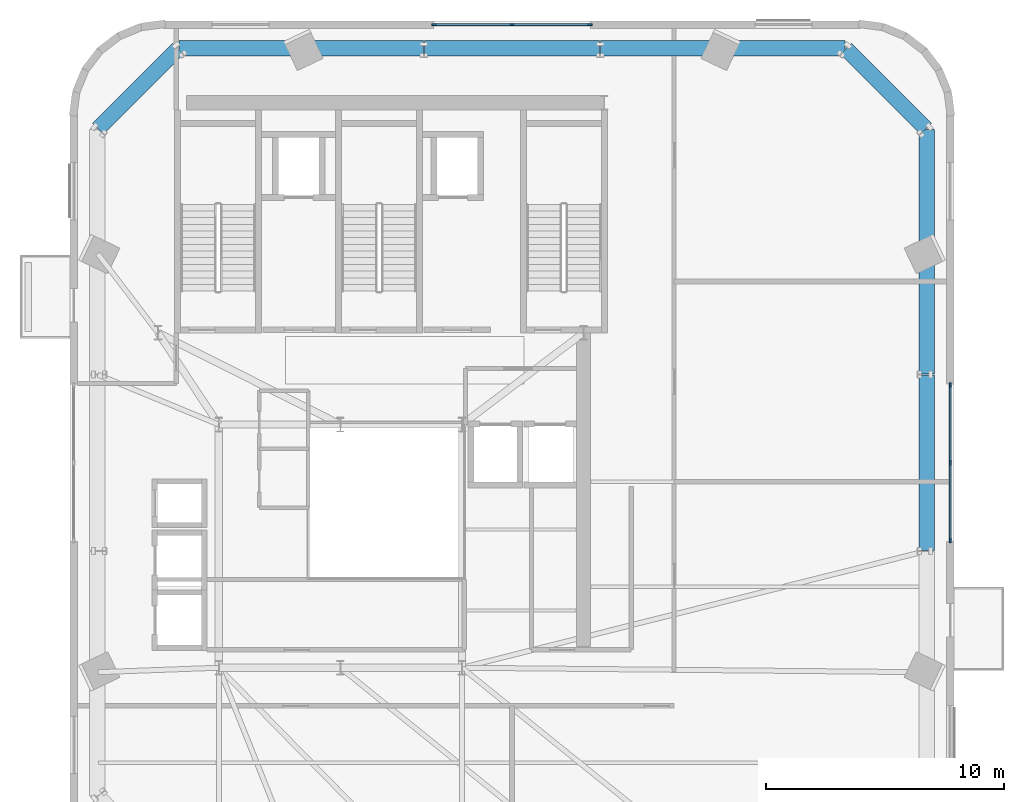
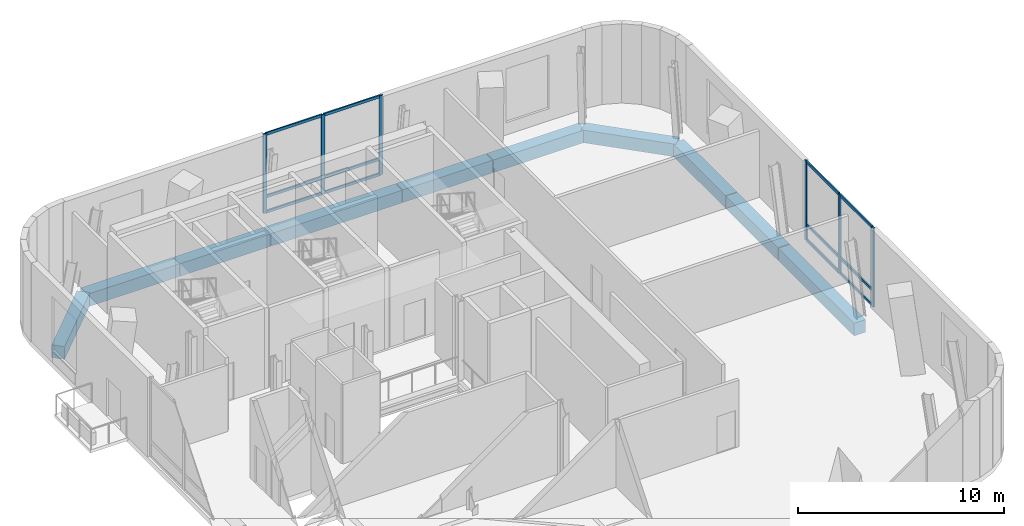
# One storey, part 4 of 10: 18 members, 10 beams, 2 elements without a shape of their own.
"""IFC4 building model written with IfcOpenShell, lengths in metres."""

import ifcopenshell
import ifcopenshell.guid

model = None  # the IFC model being written
_history = None  # IfcOwnerHistory: only IFC2X3 demands one
_inside = {}  # id of a spatial element -> (the spatial element, [elements in it])
_under = {}  # id of a project, library or spatial element -> (it, [spatial elements below it])
_declared = {}  # id of a project -> (the project, [libraries it declares])
_typed = {}  # id of a type object -> (the type object, [elements of that type])
_made_of = {}  # id of a material, layer set ... -> (it, [elements and type objects made of it])


def new_model(schema):
    """Start an empty IFC model of exactly this schema.

    Asked for "IFC4X3", IfcOpenShell would pick the latest addendum, in which some entities
    have other attributes; the version numbers below select the first issue.
    IFC2X3 requires an IfcOwnerHistory on every rooted entity: one is made here for all.
    """
    global model, _history
    if schema == "IFC4X3":
        model = ifcopenshell.file(schema_version=(4, 3, 0, 0))
    else:
        model = ifcopenshell.file(schema=schema)
    _inside.clear()
    _under.clear()
    _declared.clear()
    _typed.clear()
    _made_of.clear()
    _history = None
    if model.schema == "IFC2X3":
        org = make("IfcOrganization", Name="unknown")
        user = make(
            "IfcPersonAndOrganization",
            ThePerson=make("IfcPerson", FamilyName="unknown"),
            TheOrganization=org,
        )
        app = make(
            "IfcApplication",
            ApplicationDeveloper=org,
            Version="unknown",
            ApplicationFullName="unknown",
            ApplicationIdentifier="unknown",
        )
        _history = make(
            "IfcOwnerHistory",
            OwningUser=user,
            OwningApplication=app,
            ChangeAction="ADDED",
            CreationDate=0,
        )
    return model


def make(cls, **values):
    """One entity of the class cls with the attributes given. An attribute that is None is left unset."""
    return model.create_entity(
        cls, **{name: value for name, value in values.items() if value is not None}
    )


def rooted(cls, **values):
    """An entity with a GlobalId (a new one), such as an element, a storey or a relation."""
    return make(cls, GlobalId=ifcopenshell.guid.new(), OwnerHistory=_history, **values)


def si_unit(unit_type, name, prefix=None):
    """IfcSIUnit, for example si_unit("LENGTHUNIT", "METRE", prefix="MILLI")."""
    return make("IfcSIUnit", UnitType=unit_type, Prefix=prefix, Name=name)


def assignment(units):
    """IfcUnitAssignment: the units of a project."""
    return None if units is None else make("IfcUnitAssignment", Units=units)


def point(xyz):
    """IfcCartesianPoint."""
    return None if xyz is None else make("IfcCartesianPoint", Coordinates=xyz)


def direction(xyz):
    """IfcDirection."""
    return None if xyz is None else make("IfcDirection", DirectionRatios=xyz)


def frame(location, z_axis=None, x_axis=None):
    """IfcAxis2Placement3D, a coordinate frame: its origin and axes. An axis left out is left unset."""
    return make(
        "IfcAxis2Placement3D",
        Location=point(location),
        Axis=direction(z_axis),
        RefDirection=direction(x_axis),
    )


def frame_2d(location, x_axis=None):
    """IfcAxis2Placement2D, a coordinate frame in the plane: its origin and x axis."""
    return make(
        "IfcAxis2Placement2D", Location=point(location), RefDirection=direction(x_axis)
    )


def origin():
    """The frame at (0, 0, 0) with its axes left unset."""
    return frame((0.0, 0.0, 0.0))


def origin_2d():
    """The frame at (0, 0) in the plane with its x axis left unset."""
    return frame_2d((0.0, 0.0))


def place(relative_to, where):
    """IfcLocalPlacement: puts the frame where relative to a parent placement (None: the world)."""
    return make(
        "IfcLocalPlacement", PlacementRelTo=relative_to, RelativePlacement=where
    )


def context(
    kind, dimensions, precision=None, world=None, true_north=None, identifier=None
):
    """IfcGeometricRepresentationContext, for example the 3D "Model" context."""
    return make(
        "IfcGeometricRepresentationContext",
        ContextIdentifier=identifier,
        ContextType=kind,
        CoordinateSpaceDimension=dimensions,
        Precision=precision,
        WorldCoordinateSystem=world,
        TrueNorth=true_north,
    )


def subcontext(parent, identifier, kind, view, scale=None):
    """IfcGeometricRepresentationSubContext, for example "Body" below "Model"."""
    return make(
        "IfcGeometricRepresentationSubContext",
        ContextIdentifier=identifier,
        ContextType=kind,
        ParentContext=parent,
        TargetScale=scale,
        TargetView=view,
    )


def project(units=None, contexts=None):
    """IfcProject with its units and contexts."""
    return rooted(
        "IfcProject",
        Name="project",
        RepresentationContexts=contexts,
        UnitsInContext=assignment(units),
    )


def spatial(cls, under=None, at=None, **own):
    """A site, building, storey or space (cls), placed at a placement, below another one or the project."""
    s = rooted(cls, ObjectPlacement=at, **own)
    if under is not None:
        _under.setdefault(under.id(), (under, []))[1].append(s)
    return s


def profile(cls, at=None, kind="AREA", **sizes):
    """A parametric profile (cls). Its sizes go by their IFC names, for example OverallWidth=200.0."""
    return make(cls, ProfileType=kind, Position=at, **sizes)


def rectangle(**sizes):
    """IfcRectangleProfileDef."""
    return profile("IfcRectangleProfileDef", **sizes)


def extrude(swept, where, along, depth):
    """IfcExtrudedAreaSolid: the profile swept, set in the frame where, extruded along a direction by depth."""
    return make(
        "IfcExtrudedAreaSolid",
        SweptArea=swept,
        Position=where,
        ExtrudedDirection=direction(along),
        Depth=depth,
    )


def shape(context_of_items, identifier, shape_type, items):
    """IfcShapeRepresentation: the items that make up one representation, for example the "Body"."""
    return make(
        "IfcShapeRepresentation",
        ContextOfItems=context_of_items,
        RepresentationIdentifier=identifier,
        RepresentationType=shape_type,
        Items=items,
    )


def source(mapping_origin, context_of_items, identifier, shape_type, items):
    """IfcRepresentationMap: a shape defined once, which mapped items show again and again."""
    return make(
        "IfcRepresentationMap",
        MappingOrigin=mapping_origin,
        MappedRepresentation=shape(context_of_items, identifier, shape_type, items),
    )


def transform(
    local_origin,
    x_axis=None,
    y_axis=None,
    z_axis=None,
    scale=None,
    scale2=None,
    scale3=None,
    uniform=True,
):
    """IfcCartesianTransformationOperator3D, or its non-uniform kind. x_axis, y_axis, z_axis: its Axis1, 2, 3."""
    if uniform:
        return make(
            "IfcCartesianTransformationOperator3D",
            Axis1=direction(x_axis),
            Axis2=direction(y_axis),
            LocalOrigin=point(local_origin),
            Scale=scale,
            Axis3=direction(z_axis),
        )
    return make(
        "IfcCartesianTransformationOperator3DnonUniform",
        Axis1=direction(x_axis),
        Axis2=direction(y_axis),
        LocalOrigin=point(local_origin),
        Scale=scale,
        Axis3=direction(z_axis),
        Scale2=scale2,
        Scale3=scale3,
    )


def mapped(mapping_source, mapping_target):
    """IfcMappedItem: shows the shape of a source again, moved by a transform."""
    return make(
        "IfcMappedItem", MappingSource=mapping_source, MappingTarget=mapping_target
    )


def material(Name=None, Category=None):
    """IfcMaterial."""
    return make("IfcMaterial", Name=Name, Category=Category)


def material_profile(
    of_material, cross_section, Name=None, Category=None, Priority=None
):
    """IfcMaterialProfile: a cross section and its material."""
    return make(
        "IfcMaterialProfile",
        Name=Name,
        Material=of_material,
        Profile=cross_section,
        Priority=Priority,
        Category=Category,
    )


def profile_set(profiles, Name=None, composite=None):
    """IfcMaterialProfileSet."""
    return make(
        "IfcMaterialProfileSet",
        Name=Name,
        MaterialProfiles=profiles,
        CompositeProfile=composite,
    )


def made_of(thing, what):
    """Note that an element or type object is made of a material, layer set ...; save() writes the relation."""
    if what is not None:
        _made_of.setdefault(what.id(), (what, []))[1].append(thing)
    return thing


def type_object(cls, material=None, **own):
    """A type object (cls), such as IfcWallType, which elements share."""
    return made_of(rooted(cls, **own), material)


def element(
    cls,
    number,
    at=None,
    inside=None,
    cuts=None,
    type_object=None,
    material=None,
    context=None,
    identifier="Body",
    shape_type=None,
    held_by="IfcProductDefinitionShape",
    body=None,
    shapes=None,
    **own,
):
    """One element of the class cls, such as IfcWall. Its Tag is "e" and its number.

    at: its placement. inside: the storey or other place that contains it. cuts: it is an
    opening in that element (IfcRelVoidsElement). A single representation is given by context,
    identifier, shape_type and body (its items); several are given by shapes. held_by: the class
    of the entity that holds the representations. save() writes the other relations.
    """
    e = rooted(cls, Tag="e%d" % number, ObjectPlacement=at, **own)
    if body is not None:
        shapes = [shape(context, identifier, shape_type, body)]
    if shapes is not None:
        e.Representation = make(held_by, Representations=shapes)
    if inside is not None:
        _inside.setdefault(inside.id(), (inside, []))[1].append(e)
    if cuts is not None:
        rooted(
            "IfcRelVoidsElement", RelatingBuildingElement=cuts, RelatedOpeningElement=e
        )
    if type_object is not None:
        _typed.setdefault(type_object.id(), (type_object, []))[1].append(e)
    return made_of(e, material)


def aggregate(whole, parts):
    """IfcRelAggregates: a whole, such as a stair, and the parts it consists of."""
    return rooted("IfcRelAggregates", RelatingObject=whole, RelatedObjects=parts)


def save(model, path):
    """Write the relations noted so far, then the file.

    IfcRelAggregates (storeys below a building ...), IfcRelContainedInSpatialStructure (elements
    in a storey), IfcRelDefinesByType, IfcRelAssociatesMaterial and IfcRelDeclares: one each for
    every whole, place, type object, material and project.
    """
    for whole, parts in _under.values():
        aggregate(whole, parts)
    for where, things in _inside.values():
        rooted(
            "IfcRelContainedInSpatialStructure",
            RelatedElements=things,
            RelatingStructure=where,
        )
    for kind, things in _typed.values():
        rooted("IfcRelDefinesByType", RelatedObjects=things, RelatingType=kind)
    for what, things in _made_of.values():
        rooted("IfcRelAssociatesMaterial", RelatedObjects=things, RelatingMaterial=what)
    for by, libraries in _declared.values():
        rooted("IfcRelDeclares", RelatingContext=by, RelatedDefinitions=libraries)
    model.write(path)


model = new_model("IFC4")

# Units and contexts
model_context = context("Model", 3, precision=1e-05, world=origin(), true_north=direction((0.0, 1.0)))
body_context = subcontext(model_context, "Body", "Model", "MODEL_VIEW")
ifc_project = project(units=[si_unit("LENGTHUNIT", "METRE"), si_unit("AREAUNIT", "SQUARE_METRE"), si_unit("VOLUMEUNIT", "CUBIC_METRE"), si_unit("PLANEANGLEUNIT", "RADIAN"), si_unit("MASSUNIT", "GRAM", prefix="KILO")], contexts=[model_context])

# Site, building, storey
site_placement = place(None, origin())
site = spatial("IfcSite", under=ifc_project, at=site_placement, CompositionType="ELEMENT")
building_placement = place(site_placement, origin())
building = spatial("IfcBuilding", under=site, at=building_placement, Name="Vardaveli Station Tower", CompositionType="ELEMENT")
storey_placement = place(building_placement, frame((0.0, 0.0, 291.14990234375)))
storey = spatial("IfcBuildingStorey", under=building, at=storey_placement, Name="L74", CompositionType="ELEMENT", Elevation=291.14990234375)

# Beams
ifc_material_1 = material(Name="Precast concrete C45/55", Category="concrete")
ifc_material_profile_1 = material_profile(ifc_material_1, rectangle(XDim=0.64990234375, YDim=0.75, at=origin_2d()), Name="LPB 650x750")
ifc_profile_set_1 = profile_set([ifc_material_profile_1], Name="Precast concrete C45/55")
beam_type = type_object("IfcBeamType", Name="BM-LPB-750", PredefinedType="BEAM", material=ifc_profile_set_1)
shared_shape_1 = source(origin(), body_context, "Body", "SweptSolid", [
    extrude(rectangle(XDim=0.64990234375, YDim=0.75, at=origin_2d()), origin(), (0.0, 0.0, 1.0), 7.35986328125),
])
for number, where, z_axis, x_axis, name in (
    (1, (60.889892578125, 21.52001953125, -0.6748046875), (0.0, 1.0, 0.0), (-1.0, 0.0, 0.0), "RBM-L74-08"),
    (2, (47.179931640625, 42.590087890625, -0.6748046875), (-1.0, 0.0, 0.0), (0.0, -1.0, 0.0), "RBM-L74-14"),
):
    element("IfcBeam", number, at=place(storey_placement, frame(where, z_axis=z_axis, x_axis=x_axis)), inside=storey, type_object=beam_type, Name=name, PredefinedType="BEAM", context=body_context, shape_type="MappedRepresentation", body=[
        mapped(shared_shape_1, transform((0.0, 0.0, 0.0), scale=1.0)),
    ])
shared_shape_2 = source(origin(), body_context, "Body", "SweptSolid", [
    extrude(rectangle(XDim=0.64990234375, YDim=0.75, at=origin_2d()), origin(), (0.0, 0.0, 1.0), 5.04833984375),
])
for number, where, z_axis, x_axis, name in (
    (3, (60.889892578125, 28.919921875, -0.6748046875), (0.0, 1.0, 0.0), (-1.0, 0.0, 0.0), "RBM-L74-09"),
    (4, (52.268310546875, 42.590087890625, -0.6748046875), (-1.0, 0.0, 0.0), (0.0, -1.0, 0.0), "RBM-L74-13"),
    (5, (39.780029296875, 42.590087890625, -0.6748046875), (-1.0, 0.0, 0.0), (0.0, -1.0, 0.0), "RBM-L74-15"),
):
    element("IfcBeam", number, at=place(storey_placement, frame(where, z_axis=z_axis, x_axis=x_axis)), inside=storey, type_object=beam_type, Name=name, PredefinedType="BEAM", context=body_context, shape_type="MappedRepresentation", body=[
        mapped(shared_shape_2, transform((0.0, 0.0, 0.0), scale=1.0)),
    ])
shared_shape_3 = source(origin(), body_context, "Body", "SweptSolid", [
    extrude(rectangle(XDim=0.64990234375, YDim=0.75, at=origin_2d()), origin(), (0.0, 0.0, 1.0), 5.1689453125),
])
for number, where, z_axis, x_axis, name in (
    (6, (57.47705078125, 42.590087890625, -0.6748046875), (-1.0, 0.0, 0.0), (0.0, -1.0, 0.0), "RBM-L74-12"),
    (7, (34.69189453125, 42.590087890625, -0.6748046875), (-1.0, 0.0, 0.0), (0.0, -1.0, 0.0), "RBM-L74-16"),
):
    element("IfcBeam", number, at=place(storey_placement, frame(where, z_axis=z_axis, x_axis=x_axis)), inside=storey, type_object=beam_type, Name=name, PredefinedType="BEAM", context=body_context, shape_type="MappedRepresentation", body=[
        mapped(shared_shape_3, transform((0.0, 0.0, 0.0), scale=1.0)),
    ])
shared_shape_4 = source(origin(), body_context, "Body", "SweptSolid", [
    extrude(rectangle(XDim=0.64990234375, YDim=0.75, at=origin_2d()), origin(), (0.0, 0.0, 1.0), 4.758544921875),
])
for number, where, z_axis, x_axis, name in (
    (8, (60.8759765625, 39.211181640625, -0.6748046875), (-0.707106781187, 0.707106781187, 0.0), (-0.707106781187, -0.707106781187, 0.0), "RBM-L74-11"),
    (9, (29.48876953125, 42.575927734375, -0.6748046875), (-0.707106781187, -0.707106781187, 0.0), (0.707106781187, -0.707106781187, 0.0), "RBM-L74-17"),
):
    element("IfcBeam", number, at=place(storey_placement, frame(where, z_axis=z_axis, x_axis=x_axis)), inside=storey, type_object=beam_type, Name=name, PredefinedType="BEAM", context=body_context, shape_type="MappedRepresentation", body=[
        mapped(shared_shape_4, transform((0.0, 0.0, 0.0), scale=1.0)),
    ])
shared_shape_5 = source(origin(), body_context, "Body", "SweptSolid", [
    extrude(rectangle(XDim=0.64990234375, YDim=0.75, at=origin_2d()), origin(), (0.0, 0.0, 1.0), 5.168701171875),
])
beam_placement = place(storey_placement, frame((60.889892578125, 34.00830078125, -0.6748046875), z_axis=(0.0, 1.0, 0.0), x_axis=(-1.0, 0.0, 0.0)))
element("IfcBeam", 10, at=beam_placement, inside=storey, type_object=beam_type, Name="RBM-L74-10", PredefinedType="BEAM", context=body_context, shape_type="MappedRepresentation", body=[
    mapped(shared_shape_5, transform((0.0, 0.0, 0.0), scale=1.0)),
])

# Curtain wall, members
ifc_material_2 = material(Name="Travertine stone and solar-control glass", Category="masonry")
curtain_wall_type = type_object("IfcCurtainWallType", Name="CW-SYS-5", PredefinedType="NOTDEFINED", material=ifc_material_2)
curtain_wall_1_placement = place(storey_placement, origin())
curtain_wall_1 = element("IfcCurtainWall", 11, at=curtain_wall_1_placement, inside=storey, type_object=curtain_wall_type, Name="CW-L74-N", PredefinedType="NOTDEFINED")
ifc_material_3 = material(Name="Anodised aluminium alloy 6063-T6", Category="aluminium")
ifc_material_profile_2 = material_profile(ifc_material_3, rectangle(XDim=0.080078125, YDim=0.1650390625, at=origin_2d()), Name="CWT 80x165")
ifc_profile_set_2 = profile_set([ifc_material_profile_2], Name="Anodised aluminium alloy 6063-T6")
member_type_1 = type_object("IfcMemberType", Name="CW-SYS-5-TRAN", PredefinedType="NOTDEFINED", material=ifc_profile_set_2)
shared_shape_6 = source(origin(), body_context, "Body", "SweptSolid", [
    extrude(rectangle(XDim=0.080078125, YDim=0.1650390625, at=origin_2d()), origin(), (0.0, 0.0, 1.0), 3.179931640625),
])
member_1_placement = place(storey_placement, frame((46.719970703125, 43.580078125, 0.0400390625), z_axis=(-1.0, 0.0, 0.0), x_axis=(0.0, -1.0, 0.0)))
member_1 = element("IfcMember", 12, at=member_1_placement, type_object=member_type_1, Name="CW-5 transom 1.1", ObjectType="TRANSOM", PredefinedType="USERDEFINED", context=body_context, shape_type="MappedRepresentation", body=[
    mapped(shared_shape_6, transform((0.0, 0.0, 0.0), scale=1.0)),
])
member_2_placement = place(storey_placement, frame((46.719970703125, 43.580078125, 0.9501953125), z_axis=(-1.0, 0.0, 0.0), x_axis=(0.0, -1.0, 0.0)))
member_2 = element("IfcMember", 13, at=member_2_placement, type_object=member_type_1, Name="CW-5 transom 1.2", ObjectType="TRANSOM", PredefinedType="USERDEFINED", context=body_context, shape_type="MappedRepresentation", body=[
    mapped(shared_shape_6, transform((0.0, 0.0, 0.0), scale=1.0)),
])
member_3_placement = place(storey_placement, frame((46.719970703125, 43.580078125, 4.66015625), z_axis=(-1.0, 0.0, 0.0), x_axis=(0.0, -1.0, 0.0)))
member_3 = element("IfcMember", 14, at=member_3_placement, type_object=member_type_1, Name="CW-5 transom 1.3", ObjectType="TRANSOM", PredefinedType="USERDEFINED", context=body_context, shape_type="MappedRepresentation", body=[
    mapped(shared_shape_6, transform((0.0, 0.0, 0.0), scale=1.0)),
])
member_4_placement = place(storey_placement, frame((43.4599609375, 43.580078125, 0.0400390625), z_axis=(-1.0, 0.0, 0.0), x_axis=(0.0, -1.0, 0.0)))
member_4 = element("IfcMember", 15, at=member_4_placement, type_object=member_type_1, Name="CW-5 transom 2.1", ObjectType="TRANSOM", PredefinedType="USERDEFINED", context=body_context, shape_type="MappedRepresentation", body=[
    mapped(shared_shape_6, transform((0.0, 0.0, 0.0), scale=1.0)),
])
member_5_placement = place(storey_placement, frame((43.4599609375, 43.580078125, 0.9501953125), z_axis=(-1.0, 0.0, 0.0), x_axis=(0.0, -1.0, 0.0)))
member_5 = element("IfcMember", 16, at=member_5_placement, type_object=member_type_1, Name="CW-5 transom 2.2", ObjectType="TRANSOM", PredefinedType="USERDEFINED", context=body_context, shape_type="MappedRepresentation", body=[
    mapped(shared_shape_6, transform((0.0, 0.0, 0.0), scale=1.0)),
])
member_6_placement = place(storey_placement, frame((43.4599609375, 43.580078125, 4.66015625), z_axis=(-1.0, 0.0, 0.0), x_axis=(0.0, -1.0, 0.0)))
member_6 = element("IfcMember", 17, at=member_6_placement, type_object=member_type_1, Name="CW-5 transom 2.3", ObjectType="TRANSOM", PredefinedType="USERDEFINED", context=body_context, shape_type="MappedRepresentation", body=[
    mapped(shared_shape_6, transform((0.0, 0.0, 0.0), scale=1.0)),
])

curtain_wall_2_placement = place(storey_placement, origin())
curtain_wall_2 = element("IfcCurtainWall", 18, at=curtain_wall_2_placement, inside=storey, type_object=curtain_wall_type, Name="CW-L74-E", PredefinedType="NOTDEFINED")
member_7_placement = place(storey_placement, frame((61.8798828125, 21.97998046875, 0.0400390625), z_axis=(0.0, 1.0, 0.0), x_axis=(-1.0, 0.0, 0.0)))
member_7 = element("IfcMember", 19, at=member_7_placement, type_object=member_type_1, Name="CW-5 transom 1.1", ObjectType="TRANSOM", PredefinedType="USERDEFINED", context=body_context, shape_type="MappedRepresentation", body=[
    mapped(shared_shape_6, transform((0.0, 0.0, 0.0), scale=1.0)),
])
member_8_placement = place(storey_placement, frame((61.8798828125, 21.97998046875, 0.9501953125), z_axis=(0.0, 1.0, 0.0), x_axis=(-1.0, 0.0, 0.0)))
member_8 = element("IfcMember", 20, at=member_8_placement, type_object=member_type_1, Name="CW-5 transom 1.2", ObjectType="TRANSOM", PredefinedType="USERDEFINED", context=body_context, shape_type="MappedRepresentation", body=[
    mapped(shared_shape_6, transform((0.0, 0.0, 0.0), scale=1.0)),
])
member_9_placement = place(storey_placement, frame((61.8798828125, 21.97998046875, 4.66015625), z_axis=(0.0, 1.0, 0.0), x_axis=(-1.0, 0.0, 0.0)))
member_9 = element("IfcMember", 21, at=member_9_placement, type_object=member_type_1, Name="CW-5 transom 1.3", ObjectType="TRANSOM", PredefinedType="USERDEFINED", context=body_context, shape_type="MappedRepresentation", body=[
    mapped(shared_shape_6, transform((0.0, 0.0, 0.0), scale=1.0)),
])
member_10_placement = place(storey_placement, frame((61.8798828125, 25.239990234375, 0.0400390625), z_axis=(0.0, 1.0, 0.0), x_axis=(-1.0, 0.0, 0.0)))
member_10 = element("IfcMember", 22, at=member_10_placement, type_object=member_type_1, Name="CW-5 transom 2.1", ObjectType="TRANSOM", PredefinedType="USERDEFINED", context=body_context, shape_type="MappedRepresentation", body=[
    mapped(shared_shape_6, transform((0.0, 0.0, 0.0), scale=1.0)),
])
member_11_placement = place(storey_placement, frame((61.8798828125, 25.239990234375, 0.9501953125), z_axis=(0.0, 1.0, 0.0), x_axis=(-1.0, 0.0, 0.0)))
member_11 = element("IfcMember", 23, at=member_11_placement, type_object=member_type_1, Name="CW-5 transom 2.2", ObjectType="TRANSOM", PredefinedType="USERDEFINED", context=body_context, shape_type="MappedRepresentation", body=[
    mapped(shared_shape_6, transform((0.0, 0.0, 0.0), scale=1.0)),
])
member_12_placement = place(storey_placement, frame((61.8798828125, 25.239990234375, 4.66015625), z_axis=(0.0, 1.0, 0.0), x_axis=(-1.0, 0.0, 0.0)))
member_12 = element("IfcMember", 24, at=member_12_placement, type_object=member_type_1, Name="CW-5 transom 2.3", ObjectType="TRANSOM", PredefinedType="USERDEFINED", context=body_context, shape_type="MappedRepresentation", body=[
    mapped(shared_shape_6, transform((0.0, 0.0, 0.0), scale=1.0)),
])

# Member
ifc_material_profile_3 = material_profile(ifc_material_3, rectangle(XDim=0.080078125, YDim=0.205078125, at=origin_2d()), Name="CWM 80x205")
ifc_profile_set_3 = profile_set([ifc_material_profile_3], Name="Anodised aluminium alloy 6063-T6")
member_type_2 = type_object("IfcMemberType", Name="CW-SYS-5-MULL", PredefinedType="MULLION", material=ifc_profile_set_3)
shared_shape_7 = source(origin(), body_context, "Body", "SweptSolid", [
    extrude(rectangle(XDim=0.080078125, YDim=0.205078125, at=origin_2d()), origin(), (0.0, 0.0, 1.0), 4.7001953125),
])
member_13_placement = place(storey_placement, frame((46.760009765625, 43.580078125, 0.0), z_axis=(0.0, 0.0, 1.0), x_axis=(0.0, -1.0, 0.0)))
member_13 = element("IfcMember", 25, at=member_13_placement, type_object=member_type_2, Name="CW-5 mullion 1", PredefinedType="MULLION", context=body_context, shape_type="MappedRepresentation", body=[
    mapped(shared_shape_7, transform((0.0, 0.0, 0.0), scale=1.0)),
])

member_14_placement = place(storey_placement, frame((43.5, 43.580078125, 0.0), z_axis=(0.0, 0.0, 1.0), x_axis=(0.0, -1.0, 0.0)))
member_14 = element("IfcMember", 26, at=member_14_placement, type_object=member_type_2, Name="CW-5 mullion 2", PredefinedType="MULLION", context=body_context, shape_type="MappedRepresentation", body=[
    mapped(shared_shape_7, transform((0.0, 0.0, 0.0), scale=1.0)),
])

member_15_placement = place(storey_placement, frame((40.239990234375, 43.580078125, 0.0), z_axis=(0.0, 0.0, 1.0), x_axis=(0.0, -1.0, 0.0)))
member_15 = element("IfcMember", 27, at=member_15_placement, type_object=member_type_2, Name="CW-5 mullion 3", PredefinedType="MULLION", context=body_context, shape_type="MappedRepresentation", body=[
    mapped(shared_shape_7, transform((0.0, 0.0, 0.0), scale=1.0)),
])

aggregate(curtain_wall_1, [member_13, member_14, member_15, member_1, member_2, member_3, member_4, member_5, member_6])

member_16_placement = place(storey_placement, frame((61.8798828125, 21.93994140625, 0.0), z_axis=(0.0, 0.0, 1.0), x_axis=(-1.0, 0.0, 0.0)))
member_16 = element("IfcMember", 28, at=member_16_placement, type_object=member_type_2, Name="CW-5 mullion 1", PredefinedType="MULLION", context=body_context, shape_type="MappedRepresentation", body=[
    mapped(shared_shape_7, transform((0.0, 0.0, 0.0), scale=1.0)),
])

member_17_placement = place(storey_placement, frame((61.8798828125, 25.199951171875, 0.0), z_axis=(0.0, 0.0, 1.0), x_axis=(-1.0, 0.0, 0.0)))
member_17 = element("IfcMember", 29, at=member_17_placement, type_object=member_type_2, Name="CW-5 mullion 2", PredefinedType="MULLION", context=body_context, shape_type="MappedRepresentation", body=[
    mapped(shared_shape_7, transform((0.0, 0.0, 0.0), scale=1.0)),
])

member_18_placement = place(storey_placement, frame((61.8798828125, 28.4599609375, 0.0), z_axis=(0.0, 0.0, 1.0), x_axis=(-1.0, 0.0, 0.0)))
member_18 = element("IfcMember", 30, at=member_18_placement, type_object=member_type_2, Name="CW-5 mullion 3", PredefinedType="MULLION", context=body_context, shape_type="MappedRepresentation", body=[
    mapped(shared_shape_7, transform((0.0, 0.0, 0.0), scale=1.0)),
])

aggregate(curtain_wall_2, [member_16, member_17, member_18, member_7, member_8, member_9, member_10, member_11, member_12])

save(model, "model.ifc")
